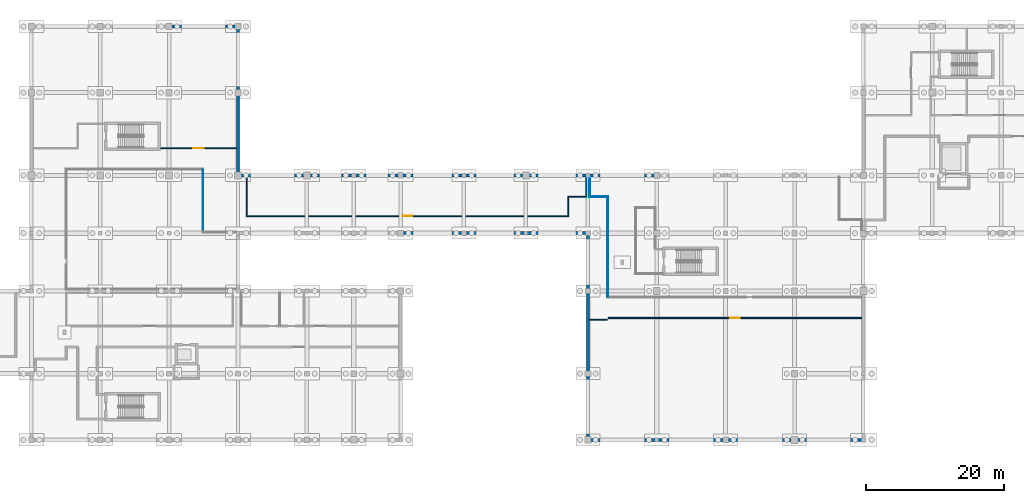
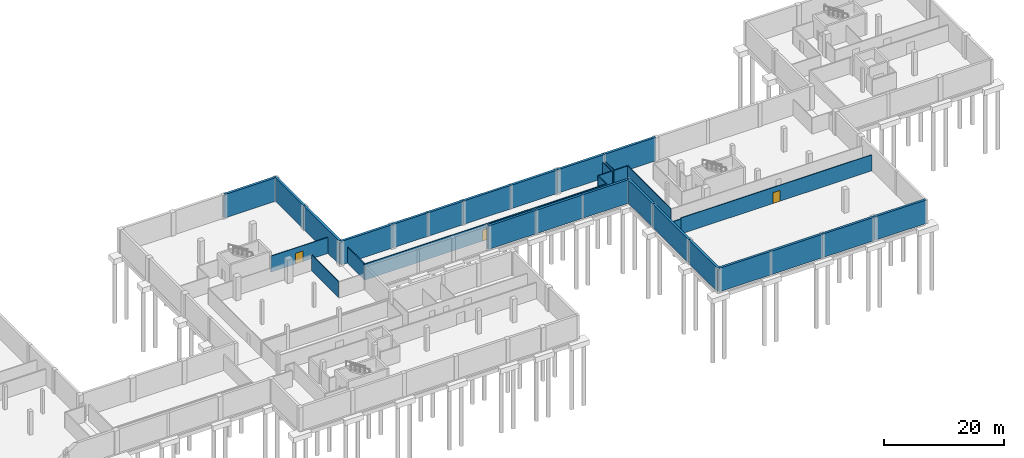
# One storey, part 17 of 28: 32 walls, 3 doors, 3 openings.
"""IFC4 building model written with IfcOpenShell, lengths in metres."""

from ifc_helpers import new_model, si_unit, direction, frame, frame_2d, origin, place, context, subcontext, project, spatial, rectangle, extrude, material, layer, layer_set, type_object, element, fill, save


model = new_model("IFC4")

# Units and contexts
model_context = context("Model", 3, precision=1e-05, world=origin(), true_north=direction((0.0, 1.0)))
body_context = subcontext(model_context, "Body", "Model", "MODEL_VIEW")
ifc_project = project(units=[si_unit("LENGTHUNIT", "METRE"), si_unit("AREAUNIT", "SQUARE_METRE"), si_unit("VOLUMEUNIT", "CUBIC_METRE"), si_unit("PLANEANGLEUNIT", "RADIAN"), si_unit("MASSUNIT", "GRAM", prefix="KILO")], contexts=[model_context])

# Site, building, storey
site_placement = place(None, origin())
site = spatial("IfcSite", under=ifc_project, at=site_placement, CompositionType="ELEMENT")
building_placement = place(site_placement, origin())
building = spatial("IfcBuilding", under=site, at=building_placement, Name="Zereglee Splitstone Museum", CompositionType="ELEMENT")
storey_placement = place(building_placement, frame((0.0, 0.0, -4.800048828125)))
storey = spatial("IfcBuildingStorey", under=building, at=storey_placement, Name="B1", CompositionType="ELEMENT", Elevation=-4.800048828125)

# Walls
ifc_material_1 = material(Name="Concrete C40/50", Category="concrete")
ifc_layer_1 = layer(ifc_material_1, 0.449951171875)
ifc_layer_set_1 = layer_set([ifc_layer_1], Name="Concrete C40/50")
wall_type_1 = type_object("IfcWallType", Name="ESW-01", PredefinedType="SHEAR", material=ifc_layer_set_1)
wall_1_placement = place(storey_placement, frame((228.800048828125, 30.0, 0.0), z_axis=(0.0, 0.0, 1.0), x_axis=(1.0, 0.0, 0.0)))
element("IfcWall", 1, at=wall_1_placement, inside=storey, type_object=wall_type_1, Name="Basement Perimeter Retaining Wall B1-016", PredefinedType="SHEAR", context=body_context, shape_type="SweptSolid", body=[
    extrude(rectangle(XDim=9.199951171875, YDim=0.449951171875, at=frame_2d((4.60009765625, 0.0))), origin(), (0.0, 0.0, 1.0), 4.800048828125),
])
for number, where, z_axis, x_axis, name in (
    (2, (238.0, 30.0, 0.0), (0.0, 0.0, 1.0), (1.0, 0.0, 0.0), "Basement Perimeter Retaining Wall B1-017"),
    (3, (247.0, 30.0, 0.0), (0.0, 0.0, 1.0), (1.0, 0.0, 0.0), "Basement Perimeter Retaining Wall B1-018"),
):
    element("IfcWall", number, at=place(storey_placement, frame(where, z_axis=z_axis, x_axis=x_axis)), inside=storey, type_object=wall_type_1, Name=name, PredefinedType="SHEAR", context=body_context, shape_type="SweptSolid", body=[
        extrude(rectangle(XDim=9.0, YDim=0.449951171875, at=frame_2d((4.5, 0.0))), origin(), (0.0, 0.0, 1.0), 4.800048828125),
    ])
wall_2_placement = place(storey_placement, frame((256.0, 30.0, 0.0), z_axis=(0.0, 0.0, 1.0), x_axis=(0.0, -1.0, 0.0)))
element("IfcWall", 4, at=wall_2_placement, inside=storey, type_object=wall_type_1, Name="Basement Perimeter Retaining Wall B1-019", PredefinedType="SHEAR", context=body_context, shape_type="SweptSolid", body=[
    extrude(rectangle(XDim=8.39990234375, YDim=0.449951171875, at=frame_2d((4.199951171875, 0.0))), origin(), (0.0, 0.0, 1.0), 4.800048828125),
])
wall_3_placement = place(storey_placement, frame((256.0, 21.60009765625, 0.0), z_axis=(0.0, 0.0, 1.0), x_axis=(0.0, -1.0, 0.0)))
element("IfcWall", 5, at=wall_3_placement, inside=storey, type_object=wall_type_1, Name="Basement Perimeter Retaining Wall B1-020", PredefinedType="SHEAR", context=body_context, shape_type="SweptSolid", body=[
    extrude(rectangle(XDim=12.0, YDim=0.449951171875, at=frame_2d((6.0, 0.0))), origin(), (0.0, 0.0, 1.0), 4.800048828125),
])
wall_4_placement = place(storey_placement, frame((256.0, 9.60009765625, 0.0), z_axis=(0.0, 0.0, 1.0), x_axis=(0.0, -1.0, 0.0)))
element("IfcWall", 6, at=wall_4_placement, inside=storey, type_object=wall_type_1, Name="Basement Perimeter Retaining Wall B1-021", PredefinedType="SHEAR", context=body_context, shape_type="SweptSolid", body=[
    extrude(rectangle(XDim=9.60009765625, YDim=0.449951171875, at=frame_2d((4.800048828125, 0.0))), origin(), (0.0, 0.0, 1.0), 4.800048828125),
])
for number, where, z_axis, x_axis, name in (
    (7, (256.0, 0.0, 0.0), (0.0, 0.0, 1.0), (1.0, 0.0, 0.0), "Basement Perimeter Retaining Wall B1-022"),
    (8, (266.0, 0.0, 0.0), (0.0, 0.0, 1.0), (1.0, 0.0, 0.0), "Basement Perimeter Retaining Wall B1-023"),
    (9, (276.0, 0.0, 0.0), (0.0, 0.0, 1.0), (1.0, 0.0, 0.0), "Basement Perimeter Retaining Wall B1-024"),
    (10, (286.0, 0.0, 0.0), (0.0, 0.0, 1.0), (1.0, 0.0, 0.0), "Basement Perimeter Retaining Wall B1-025"),
    (11, (266.0, 38.39990234375, 0.0), (0.0, 0.0, 1.0), (-1.0, 0.0, 0.0), "Basement Perimeter Retaining Wall B1-043"),
):
    element("IfcWall", number, at=place(storey_placement, frame(where, z_axis=z_axis, x_axis=x_axis)), inside=storey, type_object=wall_type_1, Name=name, PredefinedType="SHEAR", context=body_context, shape_type="SweptSolid", body=[
        extrude(rectangle(XDim=10.0, YDim=0.449951171875, at=frame_2d((5.0, 0.0))), origin(), (0.0, 0.0, 1.0), 4.800048828125),
    ])
for number, where, z_axis, x_axis, name in (
    (12, (256.0, 38.39990234375, 0.0), (0.0, 0.0, 1.0), (-1.0, 0.0, 0.0), "Basement Perimeter Retaining Wall B1-044"),
    (13, (247.0, 38.39990234375, 0.0), (0.0, 0.0, 1.0), (-1.0, 0.0, 0.0), "Basement Perimeter Retaining Wall B1-045"),
):
    element("IfcWall", number, at=place(storey_placement, frame(where, z_axis=z_axis, x_axis=x_axis)), inside=storey, type_object=wall_type_1, Name=name, PredefinedType="SHEAR", context=body_context, shape_type="SweptSolid", body=[
        extrude(rectangle(XDim=9.0, YDim=0.449951171875, at=frame_2d((4.5, 0.0))), origin(), (0.0, 0.0, 1.0), 4.800048828125),
    ])
wall_5_placement = place(storey_placement, frame((238.0, 38.39990234375, 0.0), z_axis=(0.0, 0.0, 1.0), x_axis=(-1.0, 0.0, 0.0)))
element("IfcWall", 14, at=wall_5_placement, inside=storey, type_object=wall_type_1, Name="Basement Perimeter Retaining Wall B1-046", PredefinedType="SHEAR", context=body_context, shape_type="SweptSolid", body=[
    extrude(rectangle(XDim=9.199951171875, YDim=0.449951171875, at=frame_2d((4.60009765625, 0.0))), origin(), (0.0, 0.0, 1.0), 4.800048828125),
])
for number, where, z_axis, x_axis, name in (
    (15, (228.800048828125, 38.39990234375, 0.0), (0.0, 0.0, 1.0), (-1.0, 0.0, 0.0), "Basement Perimeter Retaining Wall B1-047"),
    (16, (222.0, 38.39990234375, 0.0), (0.0, 0.0, 1.0), (-1.0, 0.0, 0.0), "Basement Perimeter Retaining Wall B1-048"),
):
    element("IfcWall", number, at=place(storey_placement, frame(where, z_axis=z_axis, x_axis=x_axis)), inside=storey, type_object=wall_type_1, Name=name, PredefinedType="SHEAR", context=body_context, shape_type="SweptSolid", body=[
        extrude(rectangle(XDim=6.800048828125, YDim=0.449951171875, at=frame_2d((3.39990234375, 0.0))), origin(), (0.0, 0.0, 1.0), 4.800048828125),
    ])
wall_6_placement = place(storey_placement, frame((215.199951171875, 38.39990234375, 0.0), z_axis=(0.0, 0.0, 1.0), x_axis=(-1.0, 0.0, 0.0)))
element("IfcWall", 17, at=wall_6_placement, inside=storey, type_object=wall_type_1, Name="Basement Perimeter Retaining Wall B1-049", PredefinedType="SHEAR", context=body_context, shape_type="SweptSolid", body=[
    extrude(rectangle(XDim=10.0, YDim=0.449951171875, at=frame_2d((5.0, 0.0))), origin(), (0.0, 0.0, 1.0), 4.800048828125),
])
wall_7_placement = place(storey_placement, frame((205.199951171875, 38.39990234375, 0.0), z_axis=(0.0, 0.0, 1.0), x_axis=(0.0, 1.0, 0.0)))
element("IfcWall", 18, at=wall_7_placement, inside=storey, type_object=wall_type_1, Name="Basement Perimeter Retaining Wall B1-050", PredefinedType="SHEAR", context=body_context, shape_type="SweptSolid", body=[
    extrude(rectangle(XDim=12.0, YDim=0.449951171875, at=frame_2d((6.0, 0.0))), origin(), (0.0, 0.0, 1.0), 4.800048828125),
])
wall_8_placement = place(storey_placement, frame((205.199951171875, 50.39990234375, 0.0), z_axis=(0.0, 0.0, 1.0), x_axis=(0.0, 1.0, 0.0)))
element("IfcWall", 19, at=wall_8_placement, inside=storey, type_object=wall_type_1, Name="Basement Perimeter Retaining Wall B1-051", PredefinedType="SHEAR", context=body_context, shape_type="SweptSolid", body=[
    extrude(rectangle(XDim=9.60009765625, YDim=0.449951171875, at=frame_2d((4.800048828125, 0.0))), origin(), (0.0, 0.0, 1.0), 4.800048828125),
])
wall_9_placement = place(storey_placement, frame((205.199951171875, 60.0, 0.0), z_axis=(0.0, 0.0, 1.0), x_axis=(-1.0, 0.0, 0.0)))
element("IfcWall", 20, at=wall_9_placement, inside=storey, type_object=wall_type_1, Name="Basement Perimeter Retaining Wall B1-052", PredefinedType="SHEAR", context=body_context, shape_type="SweptSolid", body=[
    extrude(rectangle(XDim=10.0, YDim=0.449951171875, at=frame_2d((5.0, 0.0))), origin(), (0.0, 0.0, 1.0), 4.800048828125),
])
ifc_material_2 = material(Name="Fire-rated gypsum board partition", Category="masonry")
ifc_layer_2 = layer(ifc_material_2, 0.159912109375)
ifc_layer_set_2 = layer_set([ifc_layer_2], Name="Fire-rated gypsum board partition")
wall_type_2 = type_object("IfcWallType", Name="IW-04", PredefinedType="PARTITIONING", material=ifc_layer_set_2)
wall_10_placement = place(storey_placement, frame((256.22509765625, 17.419921875, 0.0), z_axis=(0.0, 0.0, 1.0), x_axis=(1.0, 0.0, 0.0)))
element("IfcWall", 21, at=wall_10_placement, inside=storey, type_object=wall_type_2, Name="Interior Partition B1-0025 (Auditorium Lower Technical Plant Room)", PredefinedType="PARTITIONING", context=body_context, shape_type="SweptSolid", body=[
    extrude(rectangle(XDim=2.574951171875, YDim=0.159912109375, at=frame_2d((1.28759765625, 0.0))), origin(), (0.0, 0.0, 1.0), 3.260009765625),
])

# Wall, opening, door
wall_11_placement = place(storey_placement, frame((258.9599609375, 17.679931640625, 0.0), z_axis=(0.0, 0.0, 1.0), x_axis=(1.0, 0.0, 0.0)))
wall_11 = element("IfcWall", 22, at=wall_11_placement, inside=storey, type_object=wall_type_2, Name="Interior Partition B1-0026 (Auditorium Lower Technical Plant Room)", PredefinedType="PARTITIONING", context=body_context, shape_type="SweptSolid", body=[
    extrude(rectangle(XDim=36.81494140625, YDim=0.159912109375, at=frame_2d((18.407470703125, 0.0))), origin(), (0.0, 0.0, 1.0), 3.260009765625),
])
opening_1_placement = place(wall_11_placement, frame((17.732421875, 0.0, 0.0)))
opening_1 = element("IfcOpeningElement", 23, at=opening_1_placement, cuts=wall_11, Name="Opening ID-08", PredefinedType="OPENING", context=body_context, shape_type="SweptSolid", body=[
    extrude(rectangle(XDim=1.35009765625, YDim=2.199951171875, at=frame_2d((0.675048828125, 1.10009765625))), frame((0.0, 0.0947265625, 0.0), z_axis=(0.0, -1.0, 0.0), x_axis=(1.0, 0.0, 0.0)), (0.0, 0.0, 1.0), 0.189697265625),
])
ifc_material_3 = material(Name="Fire-rated steel and Siberian larch leaf", Category="steel")
door_type_1 = type_object("IfcDoorType", Name="ID-08", OperationType="NOTDEFINED", PredefinedType="DOOR", material=ifc_material_3)
door_1_placement = place(opening_1_placement, frame((1.35009765625, 0.0, 0.0), z_axis=(0.0, 0.0, 1.0), x_axis=(-1.0, 0.0, 0.0)))
door_1 = element("IfcDoor", 24, at=door_1_placement, inside=storey, type_object=door_type_1, Name="Interior Door B1-0018 (Auditorium Lower Technical Plant Room)", OperationType="SINGLE_SWING_LEFT", OverallHeight=2.199951171875, OverallWidth=1.35009765625, PredefinedType="DOOR", context=body_context, shape_type="SweptSolid", body=[
    extrude(rectangle(XDim=1.35009765625, YDim=2.199951171875, at=frame_2d((0.675048828125, 1.10009765625))), frame((0.0, 0.02490234375, 0.0), z_axis=(0.0, -1.0, 0.0), x_axis=(1.0, 0.0, 0.0)), (0.0, 0.0, 1.0), 0.050048828125),
])
fill(opening_1, door_1)

wall_12_placement = place(storey_placement, frame((206.39990234375, 32.47998046875, 0.0), z_axis=(0.0, 0.0, 1.0), x_axis=(1.0, 0.0, 0.0)))
wall_12 = element("IfcWall", 25, at=wall_12_placement, inside=storey, type_object=wall_type_2, Name="Interior Partition B1-0048 (Electrical Transformer Plant Room)", PredefinedType="PARTITIONING", context=body_context, shape_type="SweptSolid", body=[
    extrude(rectangle(XDim=46.800048828125, YDim=0.159912109375, at=frame_2d((23.39990234375, 0.0))), origin(), (0.0, 0.0, 1.0), 3.260009765625),
])
opening_2_placement = place(wall_12_placement, frame((22.72509765625, 0.0, 0.0)))
opening_2 = element("IfcOpeningElement", 26, at=opening_2_placement, cuts=wall_12, Name="Opening ID-08", PredefinedType="OPENING", context=body_context, shape_type="SweptSolid", body=[
    extrude(rectangle(XDim=1.35009765625, YDim=2.199951171875, at=frame_2d((0.675048828125, 1.10009765625))), frame((0.0, 0.0947265625, 0.0), z_axis=(0.0, -1.0, 0.0), x_axis=(1.0, 0.0, 0.0)), (0.0, 0.0, 1.0), 0.189697265625),
])
door_2_placement = place(opening_2_placement, origin())
door_2 = element("IfcDoor", 27, at=door_2_placement, inside=storey, type_object=door_type_1, Name="Interior Door B1-0017 (Electrical Transformer Plant Room)", OperationType="SINGLE_SWING_RIGHT", OverallHeight=2.199951171875, OverallWidth=1.35009765625, PredefinedType="DOOR", context=body_context, shape_type="SweptSolid", body=[
    extrude(rectangle(XDim=1.35009765625, YDim=2.199951171875, at=frame_2d((0.675048828125, 1.10009765625))), frame((0.0, 0.02490234375, 0.0), z_axis=(0.0, -1.0, 0.0), x_axis=(1.0, 0.0, 0.0)), (0.0, 0.0, 1.0), 0.050048828125),
])
fill(opening_2, door_2)

# Wall
wall_13_placement = place(storey_placement, frame((253.0400390625, 35.280029296875, 0.0), z_axis=(0.0, 0.0, 1.0), x_axis=(1.0, 0.0, 0.0)))
element("IfcWall", 28, at=wall_13_placement, inside=storey, type_object=wall_type_2, Name="Interior Partition B1-0053 (Electrical Transformer Plant Room)", PredefinedType="PARTITIONING", context=body_context, shape_type="SweptSolid", body=[
    extrude(rectangle(XDim=2.800048828125, YDim=0.159912109375, at=frame_2d((1.39990234375, 0.0))), origin(), (0.0, 0.0, 1.0), 3.260009765625),
])

# Wall, opening, door
wall_14_placement = place(storey_placement, frame((193.9599609375, 42.320068359375, 0.0), z_axis=(0.0, 0.0, 1.0), x_axis=(1.0, 0.0, 0.0)))
wall_14 = element("IfcWall", 29, at=wall_14_placement, inside=storey, type_object=wall_type_2, Name="Interior Partition B1-0062 (X-Ray Fluorescence Conservation Laboratory)", PredefinedType="PARTITIONING", context=body_context, shape_type="SweptSolid", body=[
    extrude(rectangle(XDim=11.01513671875, YDim=0.159912109375, at=frame_2d((5.507568359375, 0.0))), origin(), (0.0, 0.0, 1.0), 3.260009765625),
])
opening_3_placement = place(wall_14_placement, frame((4.757568359375, 0.0, 0.0)))
opening_3 = element("IfcOpeningElement", 30, at=opening_3_placement, cuts=wall_14, Name="Opening ID-07", PredefinedType="OPENING", context=body_context, shape_type="SweptSolid", body=[
    extrude(rectangle(XDim=1.5, YDim=2.199951171875, at=frame_2d((0.75, 1.10009765625))), frame((0.0, 0.0947265625, 0.0), z_axis=(0.0, -1.0, 0.0), x_axis=(1.0, 0.0, 0.0)), (0.0, 0.0, 1.0), 0.189697265625),
])
door_type_2 = type_object("IfcDoorType", Name="ID-07", OperationType="NOTDEFINED", PredefinedType="DOOR", material=ifc_material_3)
door_3_placement = place(opening_3_placement, origin())
door_3 = element("IfcDoor", 31, at=door_3_placement, inside=storey, type_object=door_type_2, Name="Interior Door B1-0016 (X-Ray Fluorescence Conservation Laboratory)", OperationType="DOUBLE_DOOR_SINGLE_SWING", OverallHeight=2.199951171875, OverallWidth=1.5, PredefinedType="DOOR", context=body_context, shape_type="SweptSolid", body=[
    extrude(rectangle(XDim=1.5, YDim=2.199951171875, at=frame_2d((0.75, 1.10009765625))), frame((0.0, 0.02490234375, 0.0), z_axis=(0.0, -1.0, 0.0), x_axis=(1.0, 0.0, 0.0)), (0.0, 0.0, 1.0), 0.050048828125),
])
fill(opening_3, door_3)

# Walls
wall_15_placement = place(storey_placement, frame((206.47998046875, 32.56005859375, 0.0), z_axis=(0.0, 0.0, 1.0), x_axis=(0.0, 1.0, 0.0)))
element("IfcWall", 32, at=wall_15_placement, inside=storey, type_object=wall_type_2, Name="Interior Partition B1-0131 (Electrical Transformer Plant Room)", PredefinedType="PARTITIONING", context=body_context, shape_type="SweptSolid", body=[
    extrude(rectangle(XDim=5.614990234375, YDim=0.159912109375, at=frame_2d((2.8076171875, 0.0))), origin(), (0.0, 0.0, 1.0), 3.260009765625),
])
wall_16_placement = place(storey_placement, frame((253.1201171875, 32.56005859375, 0.0), z_axis=(0.0, 0.0, 1.0), x_axis=(0.0, 1.0, 0.0)))
element("IfcWall", 33, at=wall_16_placement, inside=storey, type_object=wall_type_2, Name="Interior Partition B1-0134 (Electrical Transformer Plant Room)", PredefinedType="PARTITIONING", context=body_context, shape_type="SweptSolid", body=[
    extrude(rectangle(XDim=2.639892578125, YDim=0.159912109375, at=frame_2d((1.31982421875, 0.0))), origin(), (0.0, 0.0, 1.0), 3.260009765625),
])
wall_17_placement = place(storey_placement, frame((255.760009765625, 35.360107421875, 0.0), z_axis=(0.0, 0.0, 1.0), x_axis=(0.0, 1.0, 0.0)))
element("IfcWall", 34, at=wall_17_placement, inside=storey, type_object=wall_type_2, Name="Interior Partition B1-0135 (Electrical Transformer Plant Room)", PredefinedType="PARTITIONING", context=body_context, shape_type="SweptSolid", body=[
    extrude(rectangle(XDim=2.81494140625, YDim=0.159912109375, at=frame_2d((1.407470703125, 0.0))), origin(), (0.0, 0.0, 1.0), 3.260009765625),
])
ifc_layer_3 = layer(ifc_material_2, 0.139892578125)
ifc_layer_set_3 = layer_set([ifc_layer_3], Name="Fire-rated gypsum board partition")
wall_type_3 = type_object("IfcWallType", Name="IW-05", PredefinedType="PARTITIONING", material=ifc_layer_set_3)
wall_18_placement = place(storey_placement, frame((256.169921875, 35.280029296875, 0.0), z_axis=(0.0, 0.0, 1.0), x_axis=(1.0, 0.0, 0.0)))
element("IfcWall", 35, at=wall_18_placement, inside=storey, type_object=wall_type_3, Name="Interior Partition B1-0054 (Lecture Recording Studio)", PredefinedType="PARTITIONING", context=body_context, shape_type="SweptSolid", body=[
    extrude(rectangle(XDim=2.780029296875, YDim=0.139892578125, at=frame_2d((1.39013671875, 0.0))), origin(), (0.0, 0.0, 1.0), 3.260009765625),
])
wall_19_placement = place(storey_placement, frame((200.1201171875, 30.18994140625, 0.0), z_axis=(0.0, 0.0, 1.0), x_axis=(0.0, 1.0, 0.0)))
element("IfcWall", 36, at=wall_19_placement, inside=storey, type_object=wall_type_3, Name="Interior Partition B1-0128 (Curatorial Specimen Study Room)", PredefinedType="PARTITIONING", context=body_context, shape_type="SweptSolid", body=[
    extrude(rectangle(XDim=9.02001953125, YDim=0.139892578125, at=frame_2d((4.510009765625, 0.0))), origin(), (0.0, 0.0, 1.0), 3.260009765625),
])
wall_20_placement = place(storey_placement, frame((256.239990234375, 35.35009765625, 0.0), z_axis=(0.0, 0.0, 1.0), x_axis=(0.0, 1.0, 0.0)))
element("IfcWall", 37, at=wall_20_placement, inside=storey, type_object=wall_type_3, Name="Interior Partition B1-0136 (Lecture Recording Studio)", PredefinedType="PARTITIONING", context=body_context, shape_type="SweptSolid", body=[
    extrude(rectangle(XDim=2.824951171875, YDim=0.139892578125, at=frame_2d((1.41259765625, 0.0))), origin(), (0.0, 0.0, 1.0), 3.260009765625),
])
wall_21_placement = place(storey_placement, frame((258.8798828125, 20.7900390625, 0.0), z_axis=(0.0, 0.0, 1.0), x_axis=(0.0, 1.0, 0.0)))
element("IfcWall", 38, at=wall_21_placement, inside=storey, type_object=wall_type_3, Name="Interior Partition B1-0137 (Lecture Recording Studio)", PredefinedType="PARTITIONING", context=body_context, shape_type="SweptSolid", body=[
    extrude(rectangle(XDim=14.419921875, YDim=0.139892578125, at=frame_2d((7.2099609375, 0.0))), origin(), (0.0, 0.0, 1.0), 3.260009765625),
])

save(model, "model.ifc")
